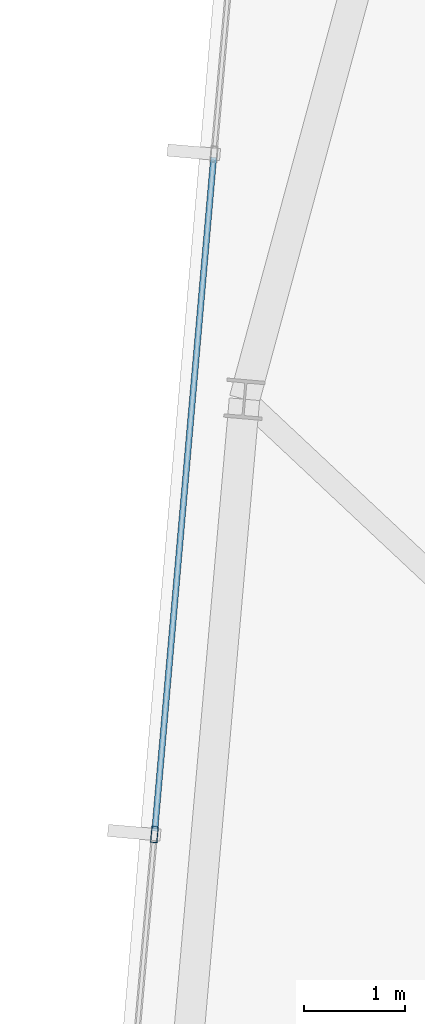
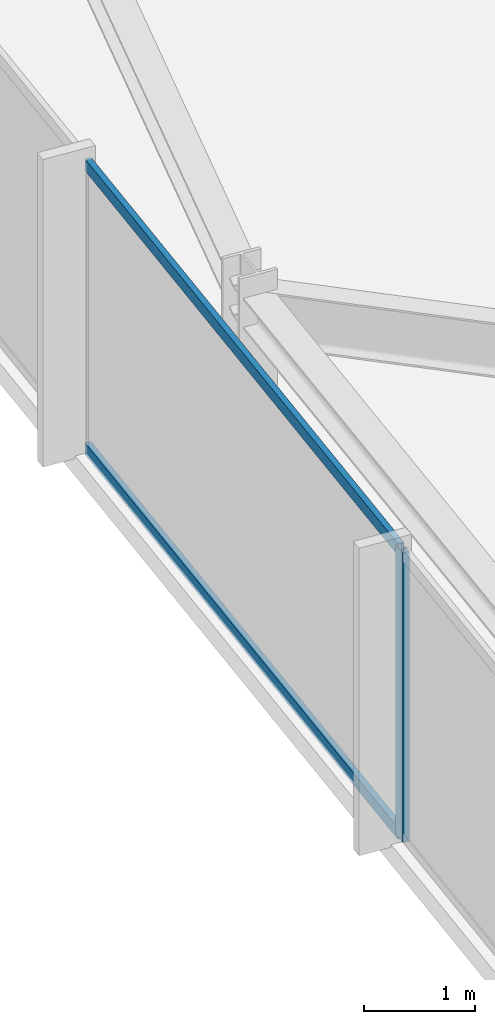
# One storey, part 9 of 32: 3 members, 1 element without a shape of its own.
"""IFC4 building model written with IfcOpenShell, lengths in metres."""

from ifc_helpers import new_model, si_unit, direction, frame, origin, origin_2d, place, context, subcontext, project, spatial, hollow_rectangle, extrude, material, material_profile, profile_set, type_object, element, aggregate, save


model = new_model("IFC4")

# Units and contexts
model_context = context("Model", 3, precision=1e-05, world=origin(), true_north=direction((0.0, 1.0)))
body_context = subcontext(model_context, "Body", "Model", "MODEL_VIEW")
ifc_project = project(units=[si_unit("LENGTHUNIT", "METRE"), si_unit("AREAUNIT", "SQUARE_METRE"), si_unit("VOLUMEUNIT", "CUBIC_METRE"), si_unit("PLANEANGLEUNIT", "RADIAN"), si_unit("MASSUNIT", "GRAM", prefix="KILO")], contexts=[model_context])

# Site, building, storey
site_placement = place(None, origin())
site = spatial("IfcSite", under=ifc_project, at=site_placement, CompositionType="ELEMENT")
building_placement = place(site_placement, origin())
building = spatial("IfcBuilding", under=site, at=building_placement, Name="Yelkora Congress Tower", CompositionType="ELEMENT")
storey_placement = place(building_placement, frame((0.0, 0.0, 265.89990234375)))
storey = spatial("IfcBuildingStorey", under=building, at=storey_placement, Name="L74", CompositionType="ELEMENT", Elevation=265.89990234375)

# Curtain wall, members
ifc_material_1 = material(Name="Anodised aluminium and insulated glass", Category="aluminium")
curtain_wall_type = type_object("IfcCurtainWallType", Name="CW-SYS-B5", PredefinedType="NOTDEFINED", material=ifc_material_1)
curtain_wall_placement = place(storey_placement, origin())
curtain_wall = element("IfcCurtainWall", 1, at=curtain_wall_placement, inside=storey, type_object=curtain_wall_type, Name="L74 Unitised Curtain Wall 5", PredefinedType="NOTDEFINED")
ifc_material_2 = material(Name="Anodised aluminium 6063-T6", Category="aluminium")
ifc_material_profile_1 = material_profile(ifc_material_2, hollow_rectangle(XDim=0.06494140625, YDim=0.159912109375, WallThickness=0.00390625, at=origin_2d()), Name="ALU 65x160x4")
ifc_profile_set_1 = profile_set([ifc_material_profile_1], Name="Anodised aluminium 6063-T6")
member_type_1 = type_object("IfcMemberType", Name="MEM-ML-B5", PredefinedType="MULLION", material=ifc_profile_set_1)
member_1_placement = place(storey_placement, frame((6.900146484375, 35.200927734375, 0.0), z_axis=(0.0, 0.0, 1.0), x_axis=(-0.996194785929, 0.08715473876, 0.0)))
member_1 = element("IfcMember", 2, at=member_1_placement, type_object=member_type_1, Name="CW-B5 mullion 3", PredefinedType="MULLION", context=body_context, shape_type="SweptSolid", body=[
    extrude(hollow_rectangle(XDim=0.06494140625, YDim=0.159912109375, WallThickness=0.00390625, at=origin_2d()), origin(), (0.0, 0.0, 1.0), 3.18017578125),
])
ifc_material_profile_2 = material_profile(ifc_material_2, hollow_rectangle(XDim=0.06005859375, YDim=0.1298828125, WallThickness=0.00390625, at=origin_2d()), Name="ALU 60x130x4")
ifc_profile_set_2 = profile_set([ifc_material_profile_2], Name="Anodised aluminium 6063-T6")
member_type_2 = type_object("IfcMemberType", Name="MEM-TR-B5", PredefinedType="USERDEFINED", material=ifc_profile_set_2)
member_2_placement = place(storey_placement, frame((6.903076171875, 35.2333984375, 0.030029296875), z_axis=(0.087143321513, 0.996195784731, 0.0), x_axis=(-0.996195784731, 0.087143321513, 0.0)))
member_2 = element("IfcMember", 3, at=member_2_placement, type_object=member_type_2, Name="CW-B5 transom 3.1", ObjectType="TRANSOM", PredefinedType="USERDEFINED", context=body_context, shape_type="SweptSolid", body=[
    extrude(hollow_rectangle(XDim=0.06005859375, YDim=0.1298828125, WallThickness=0.00390625, at=origin_2d()), origin(), (0.0, 0.0, 1.0), 6.6650390625),
])
member_3_placement = place(storey_placement, frame((6.903076171875, 35.2333984375, 3.150146484375), z_axis=(0.087143321513, 0.996195784731, 0.0), x_axis=(-0.996195784731, 0.087143321513, 0.0)))
member_3 = element("IfcMember", 4, at=member_3_placement, type_object=member_type_2, Name="CW-B5 transom 3.2", ObjectType="TRANSOM", PredefinedType="USERDEFINED", context=body_context, shape_type="SweptSolid", body=[
    extrude(hollow_rectangle(XDim=0.06005859375, YDim=0.1298828125, WallThickness=0.00390625, at=origin_2d()), origin(), (0.0, 0.0, 1.0), 6.6650390625),
])
aggregate(curtain_wall, [member_1, member_2, member_3])

save(model, "model.ifc")
